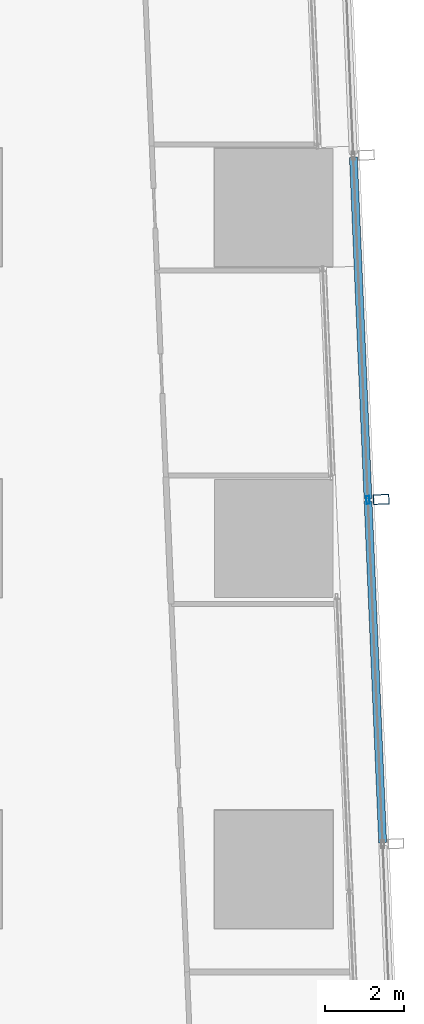
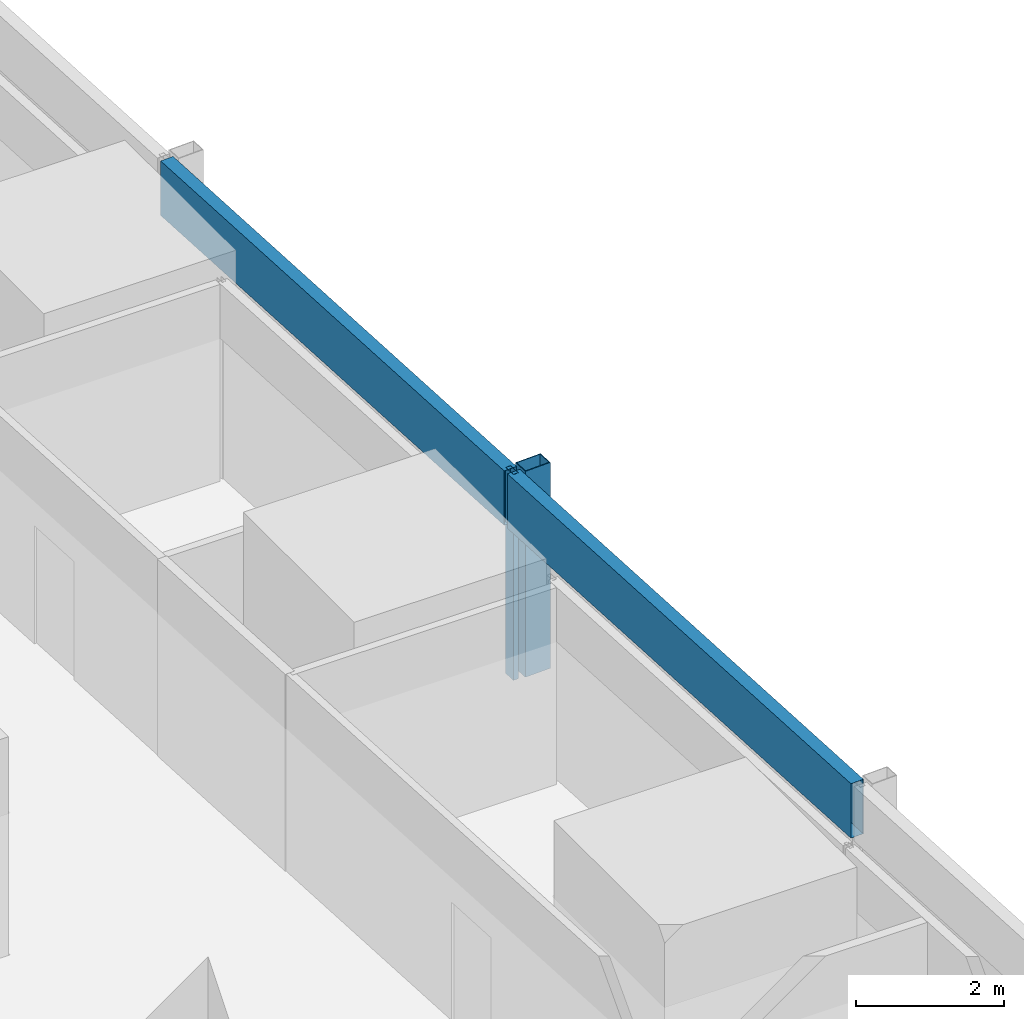
# One storey, part 28 of 44: 4 members, 1 element without a shape of its own.
"""IFC4 building model written with IfcOpenShell, lengths in metres."""

from ifc_helpers import new_model, si_unit, direction, frame, origin, origin_2d, place, context, subcontext, project, spatial, hollow_rectangle, extrude, material, material_profile, profile_set, type_object, element, aggregate, save


model = new_model("IFC4")

# Units and contexts
model_context = context("Model", 3, precision=1e-05, world=origin(), true_north=direction((0.0, 1.0)))
body_context = subcontext(model_context, "Body", "Model", "MODEL_VIEW")
ifc_project = project(units=[si_unit("LENGTHUNIT", "METRE"), si_unit("AREAUNIT", "SQUARE_METRE"), si_unit("VOLUMEUNIT", "CUBIC_METRE"), si_unit("PLANEANGLEUNIT", "RADIAN"), si_unit("MASSUNIT", "GRAM", prefix="KILO")], contexts=[model_context])

# Site, building, storey
site_placement = place(None, origin())
site = spatial("IfcSite", under=ifc_project, at=site_placement, CompositionType="ELEMENT")
building_placement = place(site_placement, origin())
building = spatial("IfcBuilding", under=site, at=building_placement, Name="Rekha Terrace Tower", CompositionType="ELEMENT")
storey_placement = place(building_placement, frame((0.0, 0.0, 81.64990234375)))
storey = spatial("IfcBuildingStorey", under=building, at=storey_placement, Name="L20", CompositionType="ELEMENT", Elevation=81.64990234375)

# Curtain wall, members
ifc_material_1 = material(Name="Aluminium framing", Category="aluminium")
curtain_wall_type = type_object("IfcCurtainWallType", Name="CW2 double skin outer glazing", PredefinedType="USERDEFINED", material=ifc_material_1)
curtain_wall_placement = place(storey_placement, origin())
curtain_wall = element("IfcCurtainWall", 1, at=curtain_wall_placement, inside=storey, type_object=curtain_wall_type, Name="CW2 double skin outer glazing", ObjectType="DOUBLE SKIN OUTER GLAZING", PredefinedType="USERDEFINED")
ifc_material_2 = material(Name="Steel S355 with fluorocarbon finish", Category="steel")
ifc_material_profile_1 = material_profile(ifc_material_2, hollow_rectangle(XDim=0.25, YDim=0.39990234375, WallThickness=0.012451171875, at=origin_2d()), Name="RHS400x250x12.5")
ifc_profile_set_1 = profile_set([ifc_material_profile_1], Name="Steel S355 with fluorocarbon finish")
member_type_1 = type_object("IfcMemberType", Name="BL1 facade blade RHS 400 x 250", PredefinedType="USERDEFINED", material=ifc_profile_set_1)
member_1_placement = place(storey_placement, frame((69.927734375, 42.989013671875, 0.0), z_axis=(0.0, 0.0, 1.0), x_axis=(-0.04269522475, 0.99908814315, 0.0)))
member_1 = element("IfcMember", 2, at=member_1_placement, type_object=member_type_1, Name="Facade blade", ObjectType="FACADE BLADE", PredefinedType="USERDEFINED", context=body_context, shape_type="SweptSolid", body=[
    extrude(hollow_rectangle(XDim=0.25, YDim=0.39990234375, WallThickness=0.012451171875, at=origin_2d()), origin(), (0.0, 0.0, 1.0), 3.400146484375),
])
ifc_material_3 = material(Name="Aluminium mullion section", Category="aluminium")
ifc_material_profile_2 = material_profile(ifc_material_3, hollow_rectangle(XDim=0.080078125, YDim=0.199951171875, WallThickness=0.00390625, at=origin_2d()), Name="AL RHS 80x200")
ifc_profile_set_2 = profile_set([ifc_material_profile_2], Name="Aluminium mullion section")
member_type_2 = type_object("IfcMemberType", Name="CW2 mullion RHS 80 x 200", PredefinedType="MULLION", material=ifc_profile_set_2)
member_2_placement = place(storey_placement, frame((69.593017578125, 42.974609375, 0.0), z_axis=(0.0, 0.0, 1.0), x_axis=(-0.999088106903, -0.042696072956, 0.0)))
member_2 = element("IfcMember", 3, at=member_2_placement, type_object=member_type_2, Name="CW2 mullion 3", PredefinedType="MULLION", context=body_context, shape_type="SweptSolid", body=[
    extrude(hollow_rectangle(XDim=0.080078125, YDim=0.199951171875, WallThickness=0.00390625, at=origin_2d()), origin(), (0.0, 0.0, 1.0), 3.400146484375),
])
ifc_material_4 = material(Name="Insulated aluminium spandrel box", Category="aluminium")
ifc_material_profile_3 = material_profile(ifc_material_4, hollow_rectangle(XDim=0.199951171875, YDim=0.89990234375, WallThickness=0.0029296875, at=origin_2d()), Name="AL SPANDREL BOX 200x900")
ifc_profile_set_3 = profile_set([ifc_material_profile_3], Name="Insulated aluminium spandrel box")
member_type_3 = type_object("IfcMemberType", Name="CW2 spandrel transom 200 x 900", PredefinedType="USERDEFINED", material=ifc_profile_set_3)
member_3_placement = place(storey_placement, frame((69.964599609375, 34.27880859375, 2.9501953125), z_axis=(-0.042692466729, 0.999088261008, 0.0), x_axis=(-0.999088261008, -0.042692466729, 0.0)))
member_3 = element("IfcMember", 4, at=member_3_placement, type_object=member_type_3, Name="CW2 spandrel transom 2", ObjectType="TRANSOM", PredefinedType="USERDEFINED", context=body_context, shape_type="SweptSolid", body=[
    extrude(hollow_rectangle(XDim=0.199951171875, YDim=0.89990234375, WallThickness=0.0029296875, at=origin_2d()), origin(), (0.0, 0.0, 1.0), 8.66357421875),
])
member_4_placement = place(storey_placement, frame((69.59130859375, 43.014404296875, 2.9501953125), z_axis=(-0.042691264793, 0.999088312368, 0.0), x_axis=(-0.999088312368, -0.042691264793, 0.0)))
member_4 = element("IfcMember", 5, at=member_4_placement, type_object=member_type_3, Name="CW2 spandrel transom 3", ObjectType="TRANSOM", PredefinedType="USERDEFINED", context=body_context, shape_type="SweptSolid", body=[
    extrude(hollow_rectangle(XDim=0.199951171875, YDim=0.89990234375, WallThickness=0.0029296875, at=origin_2d()), origin(), (0.0, 0.0, 1.0), 8.663818359375),
])
aggregate(curtain_wall, [member_2, member_3, member_4, member_1])

save(model, "model.ifc")
